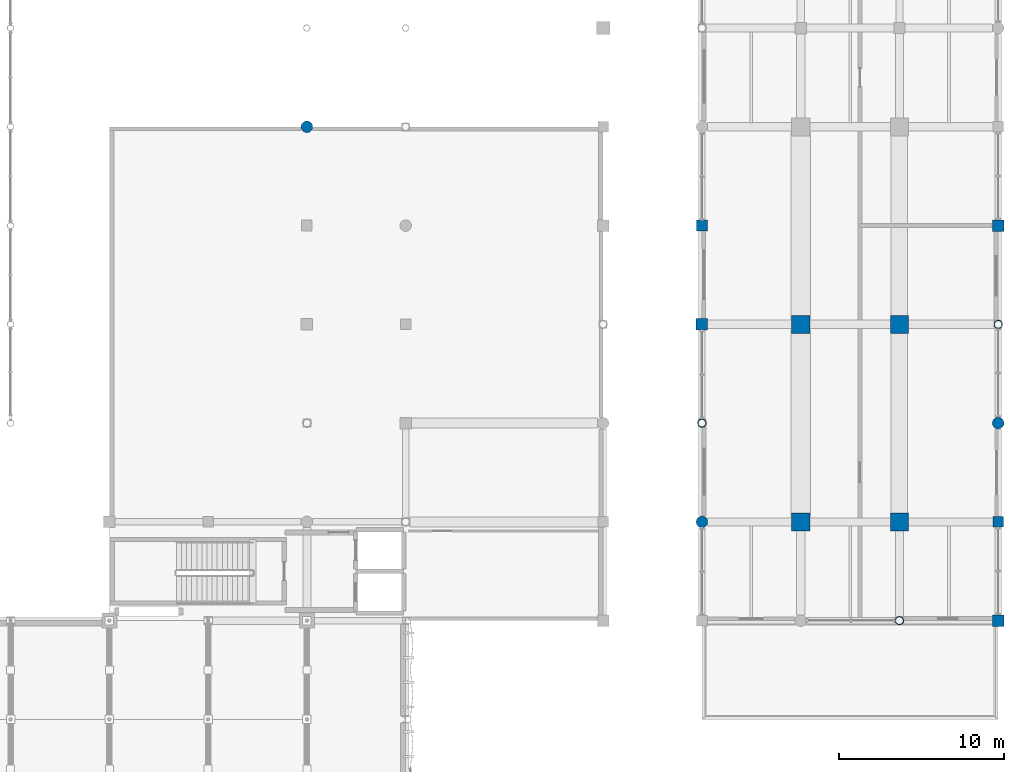
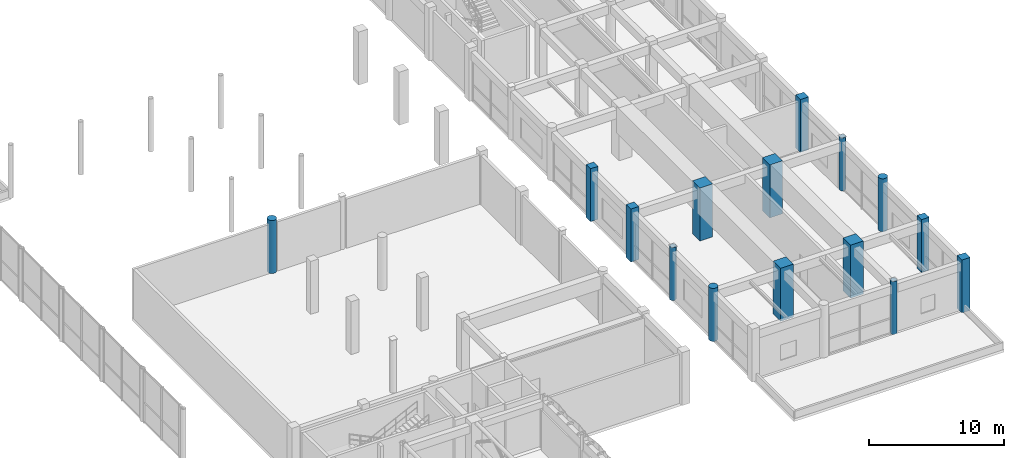
# One storey, part 12 of 123: 15 columns.
"""IFC4 building model written with IfcOpenShell, lengths in metres."""

import ifcopenshell
import ifcopenshell.guid

model = None  # the IFC model being written
_history = None  # IfcOwnerHistory: only IFC2X3 demands one
_inside = {}  # id of a spatial element -> (the spatial element, [elements in it])
_under = {}  # id of a project, library or spatial element -> (it, [spatial elements below it])
_declared = {}  # id of a project -> (the project, [libraries it declares])
_typed = {}  # id of a type object -> (the type object, [elements of that type])
_made_of = {}  # id of a material, layer set ... -> (it, [elements and type objects made of it])


def new_model(schema):
    """Start an empty IFC model of exactly this schema.

    Asked for "IFC4X3", IfcOpenShell would pick the latest addendum, in which some entities
    have other attributes; the version numbers below select the first issue.
    IFC2X3 requires an IfcOwnerHistory on every rooted entity: one is made here for all.
    """
    global model, _history
    if schema == "IFC4X3":
        model = ifcopenshell.file(schema_version=(4, 3, 0, 0))
    else:
        model = ifcopenshell.file(schema=schema)
    _inside.clear()
    _under.clear()
    _declared.clear()
    _typed.clear()
    _made_of.clear()
    _history = None
    if model.schema == "IFC2X3":
        org = make("IfcOrganization", Name="unknown")
        user = make(
            "IfcPersonAndOrganization",
            ThePerson=make("IfcPerson", FamilyName="unknown"),
            TheOrganization=org,
        )
        app = make(
            "IfcApplication",
            ApplicationDeveloper=org,
            Version="unknown",
            ApplicationFullName="unknown",
            ApplicationIdentifier="unknown",
        )
        _history = make(
            "IfcOwnerHistory",
            OwningUser=user,
            OwningApplication=app,
            ChangeAction="ADDED",
            CreationDate=0,
        )
    return model


def make(cls, **values):
    """One entity of the class cls with the attributes given. An attribute that is None is left unset."""
    return model.create_entity(
        cls, **{name: value for name, value in values.items() if value is not None}
    )


def rooted(cls, **values):
    """An entity with a GlobalId (a new one), such as an element, a storey or a relation."""
    return make(cls, GlobalId=ifcopenshell.guid.new(), OwnerHistory=_history, **values)


def si_unit(unit_type, name, prefix=None):
    """IfcSIUnit, for example si_unit("LENGTHUNIT", "METRE", prefix="MILLI")."""
    return make("IfcSIUnit", UnitType=unit_type, Prefix=prefix, Name=name)


def assignment(units):
    """IfcUnitAssignment: the units of a project."""
    return None if units is None else make("IfcUnitAssignment", Units=units)


def point(xyz):
    """IfcCartesianPoint."""
    return None if xyz is None else make("IfcCartesianPoint", Coordinates=xyz)


def direction(xyz):
    """IfcDirection."""
    return None if xyz is None else make("IfcDirection", DirectionRatios=xyz)


def frame(location, z_axis=None, x_axis=None):
    """IfcAxis2Placement3D, a coordinate frame: its origin and axes. An axis left out is left unset."""
    return make(
        "IfcAxis2Placement3D",
        Location=point(location),
        Axis=direction(z_axis),
        RefDirection=direction(x_axis),
    )


def frame_2d(location, x_axis=None):
    """IfcAxis2Placement2D, a coordinate frame in the plane: its origin and x axis."""
    return make(
        "IfcAxis2Placement2D", Location=point(location), RefDirection=direction(x_axis)
    )


def origin():
    """The frame at (0, 0, 0) with its axes left unset."""
    return frame((0.0, 0.0, 0.0))


def origin_2d():
    """The frame at (0, 0) in the plane with its x axis left unset."""
    return frame_2d((0.0, 0.0))


def place(relative_to, where):
    """IfcLocalPlacement: puts the frame where relative to a parent placement (None: the world)."""
    return make(
        "IfcLocalPlacement", PlacementRelTo=relative_to, RelativePlacement=where
    )


def context(
    kind, dimensions, precision=None, world=None, true_north=None, identifier=None
):
    """IfcGeometricRepresentationContext, for example the 3D "Model" context."""
    return make(
        "IfcGeometricRepresentationContext",
        ContextIdentifier=identifier,
        ContextType=kind,
        CoordinateSpaceDimension=dimensions,
        Precision=precision,
        WorldCoordinateSystem=world,
        TrueNorth=true_north,
    )


def subcontext(parent, identifier, kind, view, scale=None):
    """IfcGeometricRepresentationSubContext, for example "Body" below "Model"."""
    return make(
        "IfcGeometricRepresentationSubContext",
        ContextIdentifier=identifier,
        ContextType=kind,
        ParentContext=parent,
        TargetScale=scale,
        TargetView=view,
    )


def project(units=None, contexts=None):
    """IfcProject with its units and contexts."""
    return rooted(
        "IfcProject",
        Name="project",
        RepresentationContexts=contexts,
        UnitsInContext=assignment(units),
    )


def spatial(cls, under=None, at=None, **own):
    """A site, building, storey or space (cls), placed at a placement, below another one or the project."""
    s = rooted(cls, ObjectPlacement=at, **own)
    if under is not None:
        _under.setdefault(under.id(), (under, []))[1].append(s)
    return s


def profile(cls, at=None, kind="AREA", **sizes):
    """A parametric profile (cls). Its sizes go by their IFC names, for example OverallWidth=200.0."""
    return make(cls, ProfileType=kind, Position=at, **sizes)


def rectangle(**sizes):
    """IfcRectangleProfileDef."""
    return profile("IfcRectangleProfileDef", **sizes)


def circle(**sizes):
    """IfcCircleProfileDef."""
    return profile("IfcCircleProfileDef", **sizes)


def hollow_circle(**sizes):
    """IfcCircleHollowProfileDef."""
    return profile("IfcCircleHollowProfileDef", **sizes)


def extrude(swept, where, along, depth):
    """IfcExtrudedAreaSolid: the profile swept, set in the frame where, extruded along a direction by depth."""
    return make(
        "IfcExtrudedAreaSolid",
        SweptArea=swept,
        Position=where,
        ExtrudedDirection=direction(along),
        Depth=depth,
    )


def shape(context_of_items, identifier, shape_type, items):
    """IfcShapeRepresentation: the items that make up one representation, for example the "Body"."""
    return make(
        "IfcShapeRepresentation",
        ContextOfItems=context_of_items,
        RepresentationIdentifier=identifier,
        RepresentationType=shape_type,
        Items=items,
    )


def material(Name=None, Category=None):
    """IfcMaterial."""
    return make("IfcMaterial", Name=Name, Category=Category)


def material_profile(
    of_material, cross_section, Name=None, Category=None, Priority=None
):
    """IfcMaterialProfile: a cross section and its material."""
    return make(
        "IfcMaterialProfile",
        Name=Name,
        Material=of_material,
        Profile=cross_section,
        Priority=Priority,
        Category=Category,
    )


def profile_set(profiles, Name=None, composite=None):
    """IfcMaterialProfileSet."""
    return make(
        "IfcMaterialProfileSet",
        Name=Name,
        MaterialProfiles=profiles,
        CompositeProfile=composite,
    )


def made_of(thing, what):
    """Note that an element or type object is made of a material, layer set ...; save() writes the relation."""
    if what is not None:
        _made_of.setdefault(what.id(), (what, []))[1].append(thing)
    return thing


def type_object(cls, material=None, **own):
    """A type object (cls), such as IfcWallType, which elements share."""
    return made_of(rooted(cls, **own), material)


def element(
    cls,
    number,
    at=None,
    inside=None,
    cuts=None,
    type_object=None,
    material=None,
    context=None,
    identifier="Body",
    shape_type=None,
    held_by="IfcProductDefinitionShape",
    body=None,
    shapes=None,
    **own,
):
    """One element of the class cls, such as IfcWall. Its Tag is "e" and its number.

    at: its placement. inside: the storey or other place that contains it. cuts: it is an
    opening in that element (IfcRelVoidsElement). A single representation is given by context,
    identifier, shape_type and body (its items); several are given by shapes. held_by: the class
    of the entity that holds the representations. save() writes the other relations.
    """
    e = rooted(cls, Tag="e%d" % number, ObjectPlacement=at, **own)
    if body is not None:
        shapes = [shape(context, identifier, shape_type, body)]
    if shapes is not None:
        e.Representation = make(held_by, Representations=shapes)
    if inside is not None:
        _inside.setdefault(inside.id(), (inside, []))[1].append(e)
    if cuts is not None:
        rooted(
            "IfcRelVoidsElement", RelatingBuildingElement=cuts, RelatedOpeningElement=e
        )
    if type_object is not None:
        _typed.setdefault(type_object.id(), (type_object, []))[1].append(e)
    return made_of(e, material)


def aggregate(whole, parts):
    """IfcRelAggregates: a whole, such as a stair, and the parts it consists of."""
    return rooted("IfcRelAggregates", RelatingObject=whole, RelatedObjects=parts)


def save(model, path):
    """Write the relations noted so far, then the file.

    IfcRelAggregates (storeys below a building ...), IfcRelContainedInSpatialStructure (elements
    in a storey), IfcRelDefinesByType, IfcRelAssociatesMaterial and IfcRelDeclares: one each for
    every whole, place, type object, material and project.
    """
    for whole, parts in _under.values():
        aggregate(whole, parts)
    for where, things in _inside.values():
        rooted(
            "IfcRelContainedInSpatialStructure",
            RelatedElements=things,
            RelatingStructure=where,
        )
    for kind, things in _typed.values():
        rooted("IfcRelDefinesByType", RelatedObjects=things, RelatingType=kind)
    for what, things in _made_of.values():
        rooted("IfcRelAssociatesMaterial", RelatedObjects=things, RelatingMaterial=what)
    for by, libraries in _declared.values():
        rooted("IfcRelDeclares", RelatingContext=by, RelatedDefinitions=libraries)
    model.write(path)


model = new_model("IFC4")

# Units and contexts
model_context = context("Model", 3, precision=1e-05, world=origin(), true_north=direction((0.0, 1.0)))
body_context = subcontext(model_context, "Body", "Model", "MODEL_VIEW")
ifc_project = project(units=[si_unit("LENGTHUNIT", "METRE"), si_unit("AREAUNIT", "SQUARE_METRE"), si_unit("VOLUMEUNIT", "CUBIC_METRE"), si_unit("PLANEANGLEUNIT", "RADIAN"), si_unit("MASSUNIT", "GRAM", prefix="KILO"), si_unit("THERMODYNAMICTEMPERATUREUNIT", "KELVIN"), si_unit("POWERUNIT", "WATT")], contexts=[model_context])

# Site, building, storey
site_placement = place(None, origin())
site = spatial("IfcSite", under=ifc_project, at=site_placement, CompositionType="ELEMENT")
building_placement = place(site_placement, origin())
building = spatial("IfcBuilding", under=site, at=building_placement, Name="Phaisarnlok Congress Hotel", CompositionType="ELEMENT")
storey_placement = place(building_placement, frame((0.0, 0.0, 15.0)))
storey = spatial("IfcBuildingStorey", under=building, at=storey_placement, Name="L03", CompositionType="ELEMENT", Elevation=15.0)

# Columns
ifc_material_1 = material(Name="Concrete C50/60", Category="concrete")
ifc_material_profile_1 = material_profile(ifc_material_1, rectangle(XDim=1.10009765625, YDim=1.10009765625, at=origin_2d()), Name="RC 1100x1100")
ifc_profile_set_1 = profile_set([ifc_material_profile_1], Name="Concrete C50/60")
column_type_1 = type_object("IfcColumnType", Name="COL-RC-1100", PredefinedType="COLUMN", material=ifc_profile_set_1)
for number, where, z_axis, x_axis, name in (
    (1, (168.0, 42.0, 0.0), (0.0, 0.0, 1.0), (1.0, 0.0, 0.0), "Column C-10 (L03)"),
    (2, (168.0, 54.0, 0.0), (0.0, 0.0, 1.0), (1.0, 0.0, 0.0), "Column C-10 (L03)"),
    (3, (174.0, 42.0, 0.0), (0.0, 0.0, 1.0), (1.0, 0.0, 0.0), "Column C-10 (L03)"),
    (4, (174.0, 54.0, 0.0), (0.0, 0.0, 1.0), (1.0, 0.0, 0.0), "Column C-10 (L03)"),
):
    element("IfcColumn", number, at=place(storey_placement, frame(where, z_axis=z_axis, x_axis=x_axis)), inside=storey, type_object=column_type_1, Name=name, PredefinedType="COLUMN", context=body_context, shape_type="SweptSolid", body=[
        extrude(rectangle(XDim=1.10009765625, YDim=1.10009765625, at=origin_2d()), origin(), (0.0, 0.0, 1.0), 4.800048828125),
    ])
ifc_material_profile_2 = material_profile(ifc_material_1, rectangle(XDim=0.64990234375, YDim=0.64990234375, at=origin_2d()), Name="RC 650x650")
ifc_profile_set_2 = profile_set([ifc_material_profile_2], Name="Concrete C50/60")
column_type_2 = type_object("IfcColumnType", Name="COL-RC-650", PredefinedType="COLUMN", material=ifc_profile_set_2)
column_1_placement = place(storey_placement, frame((162.0, 60.0, 0.0), z_axis=(0.0, 0.0, 1.0), x_axis=(1.0, 0.0, 0.0)))
element("IfcColumn", 5, at=column_1_placement, inside=storey, type_object=column_type_2, Name="Column C-04 (L03)", PredefinedType="COLUMN", context=body_context, shape_type="SweptSolid", body=[
    extrude(rectangle(XDim=0.64990234375, YDim=0.64990234375, at=origin_2d()), origin(), (0.0, 0.0, 1.0), 4.800048828125),
])
ifc_material_profile_3 = material_profile(ifc_material_1, rectangle(XDim=0.64990234375, YDim=0.64990234375, at=origin_2d()), Name="RC 650x650")
ifc_profile_set_3 = profile_set([ifc_material_profile_3], Name="Concrete C50/60")
column_type_3 = type_object("IfcColumnType", Name="COL-RC-650-EXT", PredefinedType="COLUMN", material=ifc_profile_set_3)
column_2_placement = place(storey_placement, frame((180.0, 42.0, 0.0), z_axis=(0.0, 0.0, 1.0), x_axis=(1.0, 0.0, 0.0)))
element("IfcColumn", 6, at=column_2_placement, inside=storey, type_object=column_type_3, Name="Column C-04E (L03)", PredefinedType="COLUMN", context=body_context, shape_type="SweptSolid", body=[
    extrude(rectangle(XDim=0.64990234375, YDim=0.64990234375, at=origin_2d()), origin(), (0.0, 0.0, 1.0), 4.800048828125),
])
ifc_material_profile_4 = material_profile(ifc_material_1, rectangle(XDim=0.699951171875, YDim=0.699951171875, at=origin_2d()), Name="RC 700x700")
ifc_profile_set_4 = profile_set([ifc_material_profile_4], Name="Concrete C50/60")
column_type_4 = type_object("IfcColumnType", Name="COL-RC-700", PredefinedType="COLUMN", material=ifc_profile_set_4)
column_3_placement = place(storey_placement, frame((162.0, 54.0, 0.0), z_axis=(0.0, 0.0, 1.0), x_axis=(1.0, 0.0, 0.0)))
element("IfcColumn", 7, at=column_3_placement, inside=storey, type_object=column_type_4, Name="Column C-05 (L03)", PredefinedType="COLUMN", context=body_context, shape_type="SweptSolid", body=[
    extrude(rectangle(XDim=0.699951171875, YDim=0.699951171875, at=origin_2d()), origin(), (0.0, 0.0, 1.0), 4.800048828125),
])
ifc_material_profile_5 = material_profile(ifc_material_1, rectangle(XDim=0.699951171875, YDim=0.699951171875, at=origin_2d()), Name="RC 700x700")
ifc_profile_set_5 = profile_set([ifc_material_profile_5], Name="Concrete C50/60")
column_type_5 = type_object("IfcColumnType", Name="COL-RC-700-EXT", PredefinedType="COLUMN", material=ifc_profile_set_5)
for number, where, z_axis, x_axis, name in (
    (8, (180.0, 36.0, 0.0), (0.0, 0.0, 1.0), (1.0, 0.0, 0.0), "Column C-05E (L03)"),
    (9, (180.0, 60.0, 0.0), (0.0, 0.0, 1.0), (1.0, 0.0, 0.0), "Column C-05E (L03)"),
):
    element("IfcColumn", number, at=place(storey_placement, frame(where, z_axis=z_axis, x_axis=x_axis)), inside=storey, type_object=column_type_5, Name=name, PredefinedType="COLUMN", context=body_context, shape_type="SweptSolid", body=[
        extrude(rectangle(XDim=0.699951171875, YDim=0.699951171875, at=origin_2d()), origin(), (0.0, 0.0, 1.0), 4.800048828125),
    ])
ifc_material_profile_6 = material_profile(ifc_material_1, circle(Radius=0.35009765625, at=origin_2d()), Name="RCC D700")
ifc_profile_set_6 = profile_set([ifc_material_profile_6], Name="Concrete C50/60")
column_type_6 = type_object("IfcColumnType", Name="COL-RCC-700", PredefinedType="COLUMN", material=ifc_profile_set_6)
for number, where, z_axis, x_axis, name in (
    (10, (138.0, 66.0, 0.0), (0.0, 0.0, 1.0), (1.0, 0.0, 0.0), "Column C-13 (L03)"),
    (11, (162.0, 42.0, 0.0), (0.0, 0.0, 1.0), (1.0, 0.0, 0.0), "Column C-13 (L03)"),
):
    element("IfcColumn", number, at=place(storey_placement, frame(where, z_axis=z_axis, x_axis=x_axis)), inside=storey, type_object=column_type_6, Name=name, PredefinedType="COLUMN", context=body_context, shape_type="SweptSolid", body=[
        extrude(circle(Radius=0.35009765625, at=origin_2d()), origin(), (0.0, 0.0, 1.0), 4.800048828125),
    ])
ifc_material_profile_7 = material_profile(ifc_material_1, circle(Radius=0.35009765625, at=origin_2d()), Name="RCC D700")
ifc_profile_set_7 = profile_set([ifc_material_profile_7], Name="Concrete C50/60")
column_type_7 = type_object("IfcColumnType", Name="COL-RCC-700-EXT", PredefinedType="COLUMN", material=ifc_profile_set_7)
column_4_placement = place(storey_placement, frame((180.0, 48.0, 0.0), z_axis=(0.0, 0.0, 1.0), x_axis=(1.0, 0.0, 0.0)))
element("IfcColumn", 12, at=column_4_placement, inside=storey, type_object=column_type_7, Name="Column C-13E (L03)", PredefinedType="COLUMN", context=body_context, shape_type="SweptSolid", body=[
    extrude(circle(Radius=0.35009765625, at=origin_2d()), origin(), (0.0, 0.0, 1.0), 4.800048828125),
])
ifc_material_2 = material(Name="Steel S355", Category="steel")
ifc_material_profile_8 = material_profile(ifc_material_2, hollow_circle(Radius=0.25390625, WallThickness=0.02490234375, at=origin_2d()), Name="CHS 508x25")
ifc_profile_set_8 = profile_set([ifc_material_profile_8], Name="Steel S355")
column_type_8 = type_object("IfcColumnType", Name="COL-STL-CHS508", PredefinedType="COLUMN", material=ifc_profile_set_8)
for number, where, z_axis, x_axis, name in (
    (13, (162.0, 48.0, 0.0), (0.0, 0.0, 1.0), (1.0, 0.0, 0.0), "Column SC-03 (L03)"),
    (14, (174.0, 36.0, 0.0), (0.0, 0.0, 1.0), (1.0, 0.0, 0.0), "Column SC-03 (L03)"),
):
    element("IfcColumn", number, at=place(storey_placement, frame(where, z_axis=z_axis, x_axis=x_axis)), inside=storey, type_object=column_type_8, Name=name, PredefinedType="COLUMN", context=body_context, shape_type="SweptSolid", body=[
        extrude(hollow_circle(Radius=0.25390625, WallThickness=0.02490234375, at=origin_2d()), origin(), (0.0, 0.0, 1.0), 4.800048828125),
    ])
ifc_material_profile_9 = material_profile(ifc_material_2, hollow_circle(Radius=0.25390625, WallThickness=0.02490234375, at=origin_2d()), Name="CHS 508x25")
ifc_profile_set_9 = profile_set([ifc_material_profile_9], Name="Steel S355")
column_type_9 = type_object("IfcColumnType", Name="COL-STL-CHS508-EXT", PredefinedType="COLUMN", material=ifc_profile_set_9)
column_5_placement = place(storey_placement, frame((180.0, 54.0, 0.0), z_axis=(0.0, 0.0, 1.0), x_axis=(1.0, 0.0, 0.0)))
element("IfcColumn", 15, at=column_5_placement, inside=storey, type_object=column_type_9, Name="Column SC-03E (L03)", PredefinedType="COLUMN", context=body_context, shape_type="SweptSolid", body=[
    extrude(hollow_circle(Radius=0.25390625, WallThickness=0.02490234375, at=origin_2d()), origin(), (0.0, 0.0, 1.0), 4.800048828125),
])

save(model, "model.ifc")
